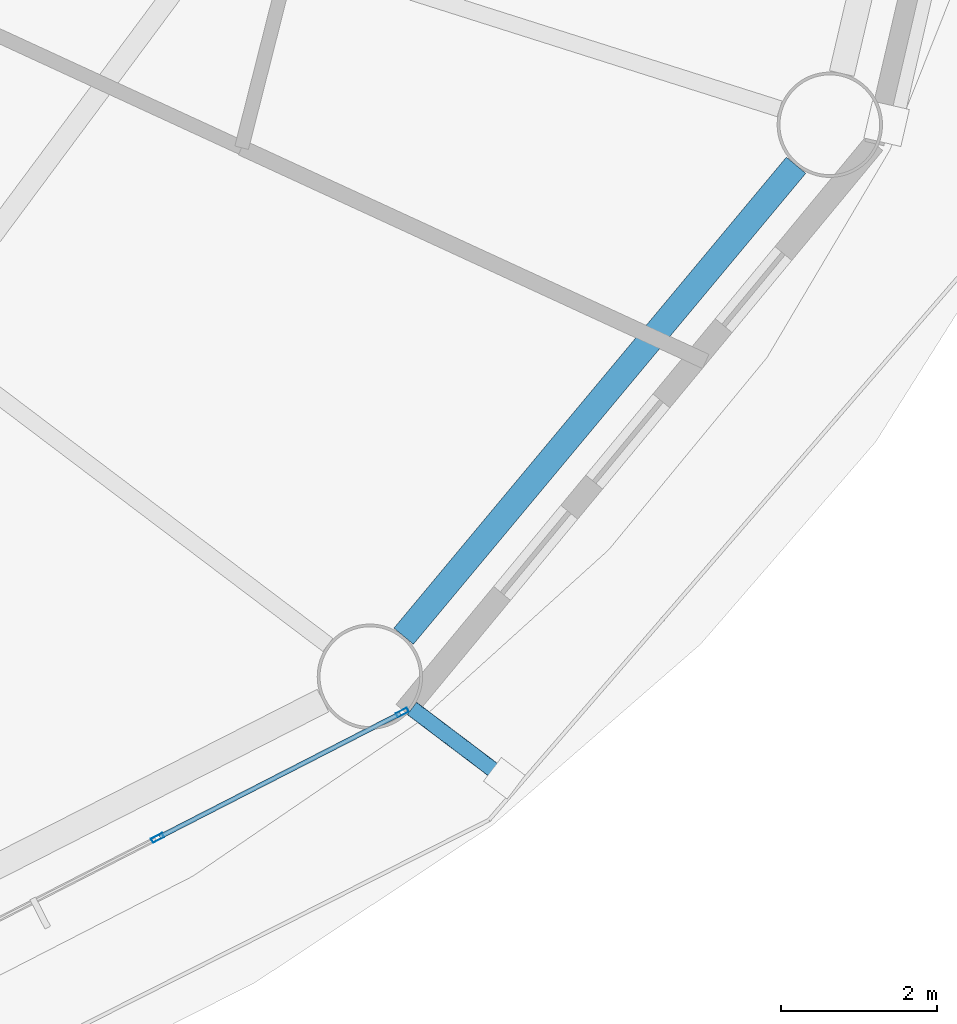
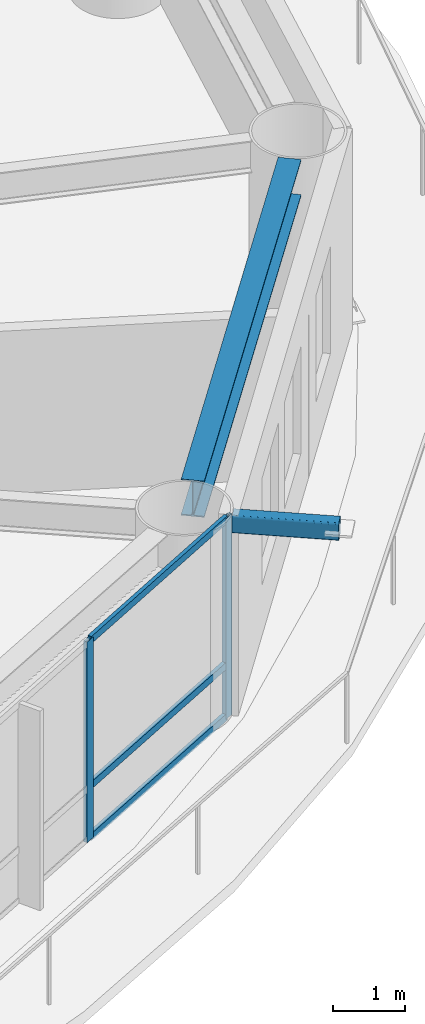
# One storey, part 6 of 24: 6 members, 1 beam, 1 element without a shape of its own.
"""IFC4 building model written with IfcOpenShell, lengths in metres."""

from ifc_helpers import new_model, si_unit, direction, frame, origin, origin_2d, place, context, subcontext, project, spatial, hollow_rectangle, i_section, extrude, material, layer, layer_set, material_profile, profile_set, type_object, element, aggregate, save


model = new_model("IFC4")

# Units and contexts
model_context = context("Model", 3, precision=1e-05, world=origin(), true_north=direction((0.0, 1.0)))
body_context = subcontext(model_context, "Body", "Model", "MODEL_VIEW")
ifc_project = project(units=[si_unit("LENGTHUNIT", "METRE"), si_unit("AREAUNIT", "SQUARE_METRE"), si_unit("VOLUMEUNIT", "CUBIC_METRE"), si_unit("PLANEANGLEUNIT", "RADIAN"), si_unit("MASSUNIT", "GRAM", prefix="KILO")], contexts=[model_context])

# Site, building, storey
site_placement = place(None, origin())
site = spatial("IfcSite", under=ifc_project, at=site_placement, CompositionType="ELEMENT")
building_placement = place(site_placement, origin())
building = spatial("IfcBuilding", under=site, at=building_placement, Name="Sarneth Arch Tower", CompositionType="ELEMENT")
storey_placement = place(building_placement, frame((0.0, 0.0, 120.0)))
storey = spatial("IfcBuildingStorey", under=building, at=storey_placement, Name="L30", CompositionType="ELEMENT", Elevation=120.0)

# Beam
ifc_material_1 = material(Name="Steel S355", Category="steel")
ifc_material_profile_1 = material_profile(ifc_material_1, i_section(OverallWidth=0.323974609375, OverallDepth=0.611083984375, WebThickness=0.0126953125, FlangeThickness=0.01904296875, FilletRadius=0.01904296875, at=origin_2d()), Name="W610x155")
ifc_profile_set_1 = profile_set([ifc_material_profile_1], Name="Steel S355")
beam_type = type_object("IfcBeamType", Name="BM-SPAN-610B", PredefinedType="SPANDREL", material=ifc_profile_set_1)
beam_placement = place(storey_placement, frame((68.829833984375, 27.103515625, 3.074462890625), z_axis=(0.640169116175, 0.768234015581, 0.0), x_axis=(-0.768234015581, 0.640169116175, 0.0)))
element("IfcBeam", 1, at=beam_placement, inside=storey, type_object=beam_type, Name="L30 Perimeter spandrel beam 15", PredefinedType="SPANDREL", context=body_context, shape_type="SweptSolid", body=[
    extrude(i_section(OverallWidth=0.323974609375, OverallDepth=0.611083984375, WebThickness=0.0126953125, FlangeThickness=0.01904296875, FilletRadius=0.01904296875, at=origin_2d()), origin(), (0.0, 0.0, 1.0), 7.856201171875),
])

# Curtain wall, members
ifc_material_2 = material(Name="Anodised aluminium Type AA25 and solar-control low-e laminated IGU", Category="aluminium")
ifc_layer = layer(ifc_material_2, 0.159912109375)
ifc_layer_set = layer_set([ifc_layer], Name="Anodised aluminium Type AA25 and solar-control low-e laminated IGU")
curtain_wall_type = type_object("IfcCurtainWallType", Name="CW-HOTEL-MID", PredefinedType="NOTDEFINED", material=ifc_layer_set)
curtain_wall_placement = place(storey_placement, origin())
curtain_wall = element("IfcCurtainWall", 2, at=curtain_wall_placement, inside=storey, type_object=curtain_wall_type, Name="L30 Unitised curtain wall facet 14", PredefinedType="NOTDEFINED")
ifc_material_3 = material(Name="Anodised Aluminium 6063-T6", Category="aluminium")
ifc_material_profile_2 = material_profile(ifc_material_3, hollow_rectangle(XDim=0.06005859375, YDim=0.159912109375, WallThickness=0.00390625, at=origin_2d()), Name="AL-MULL-160x60x4")
ifc_profile_set_2 = profile_set([ifc_material_profile_2], Name="Anodised Aluminium 6063-T6")
member_type_1 = type_object("IfcMemberType", Name="CW-MULLION", PredefinedType="MULLION", material=ifc_profile_set_2)
member_1_placement = place(storey_placement, frame((65.677001953125, 24.518798828125, 0.0), z_axis=(0.0, 0.0, 1.0), x_axis=(-0.456031365356, 0.889963703649, 0.0)))
member_1 = element("IfcMember", 3, at=member_1_placement, type_object=member_type_1, Name="CW-SYS-4 mullion 3", PredefinedType="MULLION", context=body_context, shape_type="SweptSolid", body=[
    extrude(hollow_rectangle(XDim=0.06005859375, YDim=0.159912109375, WallThickness=0.00390625, at=origin_2d()), origin(), (0.0, 0.0, 1.0), 3.3798828125),
])
member_2_placement = place(storey_placement, frame((68.813232421875, 26.1259765625, 0.0), z_axis=(0.0, 0.0, 1.0), x_axis=(-0.456031365356, 0.889963703649, 0.0)))
member_2 = element("IfcMember", 4, at=member_2_placement, type_object=member_type_1, Name="CW-SYS-4 mullion 4", PredefinedType="MULLION", context=body_context, shape_type="SweptSolid", body=[
    extrude(hollow_rectangle(XDim=0.06005859375, YDim=0.159912109375, WallThickness=0.00390625, at=origin_2d()), origin(), (0.0, 0.0, 1.0), 3.3798828125),
])
ifc_material_4 = material(Name="Anodised Aluminium 6063-T6", Category="aluminium")
ifc_material_profile_3 = material_profile(ifc_material_4, hollow_rectangle(XDim=0.06005859375, YDim=0.1201171875, WallThickness=0.00390625, at=origin_2d()), Name="AL-TRAN-120x60x4")
ifc_profile_set_3 = profile_set([ifc_material_profile_3], Name="Anodised Aluminium 6063-T6")
member_type_2 = type_object("IfcMemberType", Name="CW-TRANSOM", PredefinedType="USERDEFINED", material=ifc_profile_set_3)
member_3_placement = place(storey_placement, frame((65.703857421875, 24.532470703125, 0.030029296875), z_axis=(0.889942905184, 0.456071952122, 0.0), x_axis=(-0.456071952122, 0.889942905184, 0.0)))
member_3 = element("IfcMember", 5, at=member_3_placement, type_object=member_type_2, Name="CW-SYS-4 transom 3.1", ObjectType="TRANSOM", PredefinedType="USERDEFINED", context=body_context, shape_type="SweptSolid", body=[
    extrude(hollow_rectangle(XDim=0.06005859375, YDim=0.1201171875, WallThickness=0.00390625, at=origin_2d()), origin(), (0.0, 0.0, 1.0), 3.464111328125),
])
member_4_placement = place(storey_placement, frame((65.703857421875, 24.532470703125, 0.89990234375), z_axis=(0.889942905184, 0.456071952122, 0.0), x_axis=(-0.456071952122, 0.889942905184, 0.0)))
member_4 = element("IfcMember", 6, at=member_4_placement, type_object=member_type_2, Name="CW-SYS-4 transom 3.2", ObjectType="TRANSOM", PredefinedType="USERDEFINED", context=body_context, shape_type="SweptSolid", body=[
    extrude(hollow_rectangle(XDim=0.06005859375, YDim=0.1201171875, WallThickness=0.00390625, at=origin_2d()), origin(), (0.0, 0.0, 1.0), 3.464111328125),
])
member_5_placement = place(storey_placement, frame((65.703857421875, 24.532470703125, 3.35009765625), z_axis=(0.889942905184, 0.456071952122, 0.0), x_axis=(-0.456071952122, 0.889942905184, 0.0)))
member_5 = element("IfcMember", 7, at=member_5_placement, type_object=member_type_2, Name="CW-SYS-4 transom 3.3", ObjectType="TRANSOM", PredefinedType="USERDEFINED", context=body_context, shape_type="SweptSolid", body=[
    extrude(hollow_rectangle(XDim=0.06005859375, YDim=0.1201171875, WallThickness=0.00390625, at=origin_2d()), origin(), (0.0, 0.0, 1.0), 3.464111328125),
])
aggregate(curtain_wall, [member_1, member_2, member_3, member_4, member_5])

# Member
ifc_material_5 = material(Name="Steel S355", Category="steel")
ifc_material_profile_4 = material_profile(ifc_material_5, hollow_rectangle(XDim=0.199951171875, YDim=0.300048828125, WallThickness=0.012451171875, InnerFilletRadius=0.018798828125, OuterFilletRadius=0.03125, at=origin_2d()), Name="RHS300x200x12.5")
ifc_profile_set_4 = profile_set([ifc_material_profile_4], Name="Steel S355")
member_type_3 = type_object("IfcMemberType", Name="MEM-CANT-STRUT", PredefinedType="STRUT", material=ifc_profile_set_4)
member_6_placement = place(storey_placement, frame((68.936279296875, 26.177978515625, 3.219970703125), z_axis=(0.797802225535, -0.602919239145, 0.0), x_axis=(0.602919239145, 0.797802225535, 0.0)))
element("IfcMember", 8, at=member_6_placement, inside=storey, type_object=member_type_3, Name="L30 Balcony cantilever bracket 15", PredefinedType="STRUT", context=body_context, shape_type="SweptSolid", body=[
    extrude(hollow_rectangle(XDim=0.199951171875, YDim=0.300048828125, WallThickness=0.012451171875, InnerFilletRadius=0.018798828125, OuterFilletRadius=0.03125, at=origin_2d()), origin(), (0.0, 0.0, 1.0), 1.483154296875),
])

save(model, "model.ifc")
